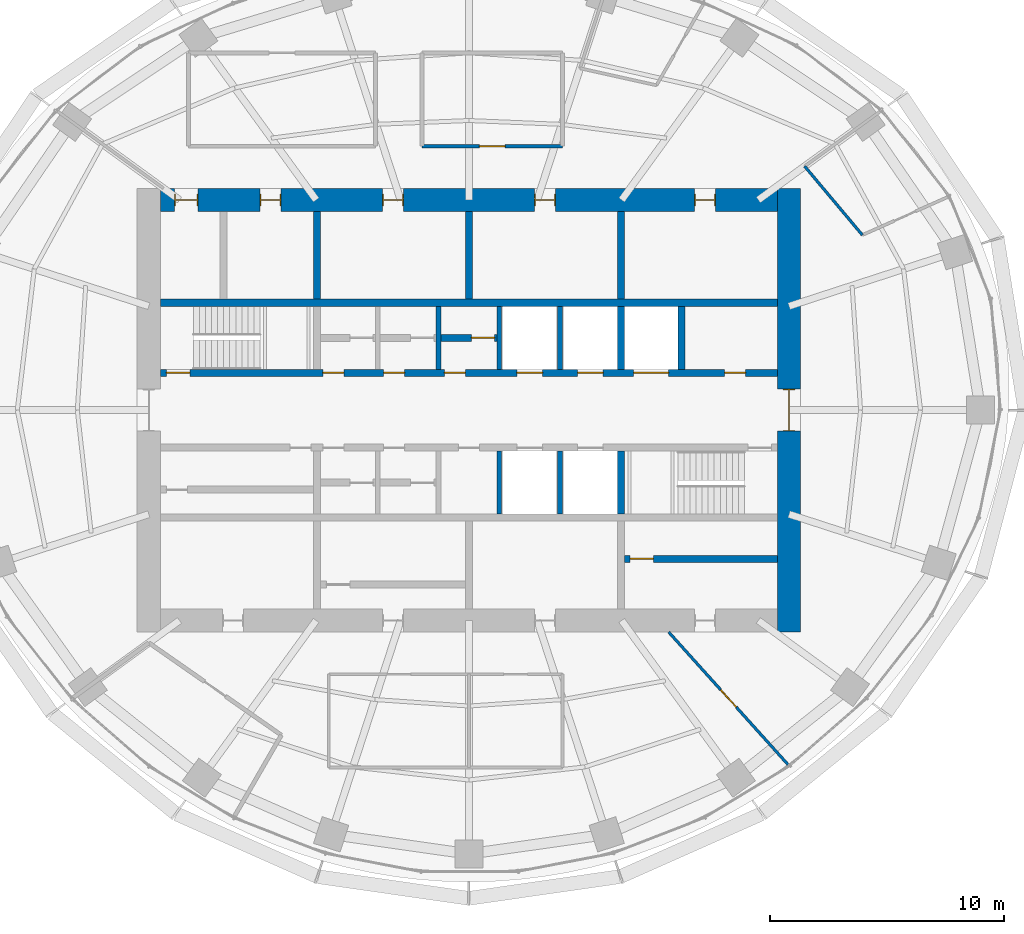
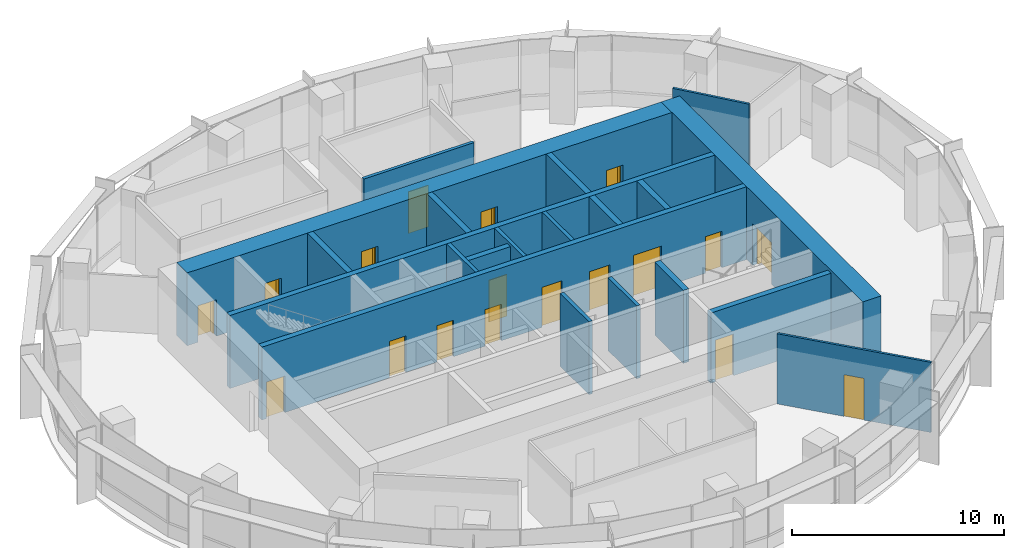
# One storey, part 10 of 13: 20 walls, 18 doors, 18 openings.
"""IFC4 building model written with IfcOpenShell, lengths in metres."""

from ifc_helpers import new_model, si_unit, direction, frame, frame_2d, origin, place, context, subcontext, project, spatial, rectangle, extrude, material, layer, layer_set, type_object, element, fill, save


model = new_model("IFC4")

# Units and contexts
model_context = context("Model", 3, precision=1e-05, world=origin(), true_north=direction((0.0, 1.0)))
body_context = subcontext(model_context, "Body", "Model", "MODEL_VIEW")
ifc_project = project(units=[si_unit("LENGTHUNIT", "METRE"), si_unit("AREAUNIT", "SQUARE_METRE"), si_unit("VOLUMEUNIT", "CUBIC_METRE"), si_unit("PLANEANGLEUNIT", "RADIAN"), si_unit("MASSUNIT", "GRAM", prefix="KILO")], contexts=[model_context])

# Site, building, storey
site_placement = place(None, origin())
site = spatial("IfcSite", under=ifc_project, at=site_placement, CompositionType="ELEMENT")
building_placement = place(site_placement, origin())
building = spatial("IfcBuilding", under=site, at=building_placement, Name="Marramba Exchange Tower", CompositionType="ELEMENT")
storey_placement = place(building_placement, frame((0.0, 0.0, 268.60009765625)))
storey = spatial("IfcBuildingStorey", under=building, at=storey_placement, Name="L65", CompositionType="ELEMENT", Elevation=268.60009765625)

# Wall, opening, door
ifc_material_1 = material(Name="Plasterboard on staggered double steel studs, acoustic insulation", Category="steel")
ifc_layer_1 = layer(ifc_material_1, 0.169921875)
ifc_layer_set_1 = layer_set([ifc_layer_1], Name="Acoustic partition 170")
wall_type_1 = type_object("IfcWallType", Name="Acoustic partition 170", PredefinedType="PARTITIONING", material=ifc_layer_set_1)
wall_1_placement = place(storey_placement, frame((4.0, 11.300048828125, 0.0), z_axis=(0.0, 0.0, 1.0), x_axis=(-1.0, 0.0, 0.0)))
wall_1 = element("IfcWall", 1, at=wall_1_placement, inside=storey, type_object=wall_type_1, Name="Acoustic partition L65 17", PredefinedType="PARTITIONING", context=body_context, shape_type="SweptSolid", body=[
    extrude(rectangle(XDim=6.0, YDim=0.169921875, at=frame_2d((3.0, 0.0))), origin(), (0.0, 0.0, 1.0), 4.039794921875),
])
opening_1_placement = place(wall_1_placement, frame((2.449951171875, 0.0, 0.0)))
opening_1 = element("IfcOpeningElement", 2, at=opening_1_placement, cuts=wall_1, Name="Opening D15", PredefinedType="OPENING", context=body_context, shape_type="SweptSolid", body=[
    extrude(rectangle(XDim=1.10009765625, YDim=2.39990234375, at=frame_2d((0.550048828125, 1.199951171875))), frame((0.0, 0.094970703125, 0.0), z_axis=(0.0, -1.0, 0.0), x_axis=(1.0, 0.0, 0.0)), (0.0, 0.0, 1.0), 0.18994140625),
])
ifc_material_2 = material(Name="Timber door", Category="wood")
door_type_1 = type_object("IfcDoorType", Name="Glazed meeting room door 1100x2400", OperationType="SINGLE_SWING_LEFT", PredefinedType="DOOR", material=ifc_material_2)
door_1_placement = place(opening_1_placement, frame((1.10009765625, 0.0, 0.0), z_axis=(0.0, 0.0, 1.0), x_axis=(-1.0, 0.0, 0.0)))
door_1 = element("IfcDoor", 3, at=door_1_placement, inside=storey, type_object=door_type_1, Name="D15 Meeting Room 2 L65", OperationType="SINGLE_SWING_RIGHT", OverallHeight=2.39990234375, OverallWidth=1.10009765625, PredefinedType="DOOR", context=body_context, shape_type="SweptSolid", body=[
    extrude(rectangle(XDim=1.10009765625, YDim=2.39990234375, at=frame_2d((0.550048828125, 1.199951171875))), frame((0.0, 0.025146484375, 0.0), z_axis=(0.0, -1.0, 0.0), x_axis=(1.0, 0.0, 0.0)), (0.0, 0.0, 1.0), 0.050048828125),
])
fill(opening_1, door_1)

# Walls
ifc_material_3 = material(Name="Concrete N50", Category="concrete")
ifc_layer_2 = layer(ifc_material_3, 0.199951171875)
ifc_layer_set_2 = layer_set([ifc_layer_2], Name="Core shaft wall 200")
wall_type_2 = type_object("IfcWallType", Name="Core shaft wall 200", PredefinedType="SHEAR", material=ifc_layer_set_2)
for number, where, z_axis, x_axis, name in (
    (4, (-1.300048828125, 1.75, 0.0), (0.0, 0.0, 1.0), (0.0, 1.0, 0.0), "Core wall SHN2 L65"),
    (5, (1.300048828125, 1.75, 0.0), (0.0, 0.0, 1.0), (0.0, 1.0, 0.0), "Core wall SHN3 L65"),
    (6, (3.89990234375, 1.75, 0.0), (0.0, 0.0, 1.0), (0.0, 1.0, 0.0), "Core wall SHN4 L65"),
    (7, (1.300048828125, -1.75, 0.0), (0.0, 0.0, 1.0), (0.0, -1.0, 0.0), "Core wall SHS3 L65"),
    (8, (3.89990234375, -1.75, 0.0), (0.0, 0.0, 1.0), (0.0, -1.0, 0.0), "Core wall SHS4 L65"),
):
    element("IfcWall", number, at=place(storey_placement, frame(where, z_axis=z_axis, x_axis=x_axis)), inside=storey, type_object=wall_type_2, Name=name, PredefinedType="SHEAR", context=body_context, shape_type="SweptSolid", body=[
        extrude(rectangle(XDim=2.699951171875, YDim=0.199951171875, at=frame_2d((1.35009765625, 0.0))), origin(), (0.0, 0.0, 1.0), 4.199951171875),
    ])

# Wall, openings, doors
ifc_layer_3 = layer(ifc_material_3, 1.0)
ifc_layer_set_3 = layer_set([ifc_layer_3], Name="Core wall 1000")
wall_type_3 = type_object("IfcWallType", Name="Core wall 1000", PredefinedType="SHEAR", material=ifc_layer_set_3)
wall_2_placement = place(storey_placement, frame((13.199951171875, 9.0, 0.0), z_axis=(0.0, 0.0, 1.0), x_axis=(-1.0, 0.0, 0.0)))
wall_2 = element("IfcWall", 9, at=wall_2_placement, inside=storey, type_object=wall_type_3, Name="Core wall N L65", PredefinedType="SHEAR", context=body_context, shape_type="SweptSolid", body=[
    extrude(rectangle(XDim=26.39990234375, YDim=1.0, at=frame_2d((13.199951171875, 0.0))), origin(), (0.0, 0.0, 1.0), 4.199951171875),
])
opening_2_placement = place(wall_2_placement, frame((2.64990234375, 0.0, 0.0)))
opening_2 = element("IfcOpeningElement", 10, at=opening_2_placement, cuts=wall_2, Name="Opening D5", PredefinedType="OPENING", context=body_context, shape_type="SweptSolid", body=[
    extrude(rectangle(XDim=0.89990234375, YDim=2.10009765625, at=frame_2d((0.449951171875, 1.050048828125))), frame((0.0, 0.510009765625, 0.0), z_axis=(0.0, -1.0, 0.0), x_axis=(1.0, 0.0, 0.0)), (0.0, 0.0, 1.0), 1.02001953125),
])
opening_3_placement = place(wall_2_placement, frame((9.5, 0.0, 0.0)))
opening_3 = element("IfcOpeningElement", 11, at=opening_3_placement, cuts=wall_2, Name="Opening D3", PredefinedType="OPENING", context=body_context, shape_type="SweptSolid", body=[
    extrude(rectangle(XDim=0.89990234375, YDim=2.10009765625, at=frame_2d((0.449951171875, 1.050048828125))), frame((0.0, 0.510009765625, 0.0), z_axis=(0.0, -1.0, 0.0), x_axis=(1.0, 0.0, 0.0)), (0.0, 0.0, 1.0), 1.02001953125),
])
opening_4_placement = place(wall_2_placement, frame((16.0, 0.0, 0.0)))
opening_4 = element("IfcOpeningElement", 12, at=opening_4_placement, cuts=wall_2, Name="Opening D3", PredefinedType="OPENING", context=body_context, shape_type="SweptSolid", body=[
    extrude(rectangle(XDim=0.89990234375, YDim=2.10009765625, at=frame_2d((0.449951171875, 1.050048828125))), frame((0.0, 0.510009765625, 0.0), z_axis=(0.0, -1.0, 0.0), x_axis=(1.0, 0.0, 0.0)), (0.0, 0.0, 1.0), 1.02001953125),
])
opening_5_placement = place(wall_2_placement, frame((21.25, 0.0, 0.0)))
opening_5 = element("IfcOpeningElement", 13, at=opening_5_placement, cuts=wall_2, Name="Opening D5", PredefinedType="OPENING", context=body_context, shape_type="SweptSolid", body=[
    extrude(rectangle(XDim=0.89990234375, YDim=2.10009765625, at=frame_2d((0.449951171875, 1.050048828125))), frame((0.0, 0.510009765625, 0.0), z_axis=(0.0, -1.0, 0.0), x_axis=(1.0, 0.0, 0.0)), (0.0, 0.0, 1.0), 1.02001953125),
])
opening_6_placement = place(wall_2_placement, frame((24.800048828125, 0.0, 0.0)))
opening_6 = element("IfcOpeningElement", 14, at=opening_6_placement, cuts=wall_2, Name="Opening D4", PredefinedType="OPENING", context=body_context, shape_type="SweptSolid", body=[
    extrude(rectangle(XDim=1.0, YDim=2.10009765625, at=frame_2d((0.5, 1.050048828125))), frame((0.0, 0.510009765625, 0.0), z_axis=(0.0, -1.0, 0.0), x_axis=(1.0, 0.0, 0.0)), (0.0, 0.0, 1.0), 1.02001953125),
])
ifc_material_4 = material(Name="Steel-framed door", Category="steel")
door_type_2 = type_object("IfcDoorType", Name="Accessible toilet door 1000x2100", OperationType="SINGLE_SWING_LEFT", PredefinedType="DOOR", material=ifc_material_4)
door_2_placement = place(opening_6_placement, origin())
door_2 = element("IfcDoor", 15, at=door_2_placement, inside=storey, type_object=door_type_2, Name="D4 awc L65", OperationType="SINGLE_SWING_RIGHT", OverallHeight=2.10009765625, OverallWidth=1.0, PredefinedType="DOOR", context=body_context, shape_type="SweptSolid", body=[
    extrude(rectangle(XDim=0.919921875, YDim=2.06005859375, at=frame_2d((0.5, 1.030029296875))), frame((0.0, 0.02490234375, 0.0), z_axis=(0.0, -1.0, 0.0), x_axis=(1.0, 0.0, 0.0)), (0.0, 0.0, 1.0), 0.050048828125),
    extrude(rectangle(XDim=0.04, YDim=2.10009765625, at=frame_2d((0.02001953125, 1.050048828125))), frame((0.0, 0.25, 0.0), z_axis=(0.0, -1.0, 0.0), x_axis=(1.0, 0.0, 0.0)), (0.0, 0.0, 1.0), 0.5),
    extrude(rectangle(XDim=0.04, YDim=2.10009765625, at=frame_2d((0.97998046875, 1.050048828125))), frame((0.0, 0.25, 0.0), z_axis=(0.0, -1.0, 0.0), x_axis=(1.0, 0.0, 0.0)), (0.0, 0.0, 1.0), 0.5),
    extrude(rectangle(XDim=0.919921875, YDim=0.04, at=frame_2d((0.5, 2.080078125))), frame((0.0, 0.25, 0.0), z_axis=(0.0, -1.0, 0.0), x_axis=(1.0, 0.0, 0.0)), (0.0, 0.0, 1.0), 0.5),
])
fill(opening_6, door_2)
door_type_3 = type_object("IfcDoorType", Name="Service door 900x2100", OperationType="SINGLE_SWING_LEFT", PredefinedType="DOOR", material=ifc_material_4)
door_3_placement = place(opening_2_placement, origin())
door_3 = element("IfcDoor", 16, at=door_3_placement, inside=storey, type_object=door_type_3, Name="D5 comms L65", OperationType="SINGLE_SWING_LEFT", OverallHeight=2.10009765625, OverallWidth=0.89990234375, PredefinedType="DOOR", context=body_context, shape_type="SweptSolid", body=[
    extrude(rectangle(XDim=0.81982421875, YDim=2.06005859375, at=frame_2d((0.449951171875, 1.030029296875))), frame((0.0, 0.02490234375, 0.0), z_axis=(0.0, -1.0, 0.0), x_axis=(1.0, 0.0, 0.0)), (0.0, 0.0, 1.0), 0.050048828125),
    extrude(rectangle(XDim=0.04, YDim=2.10009765625, at=frame_2d((0.02001953125, 1.050048828125))), frame((0.0, 0.25, 0.0), z_axis=(0.0, -1.0, 0.0), x_axis=(1.0, 0.0, 0.0)), (0.0, 0.0, 1.0), 0.5),
    extrude(rectangle(XDim=0.04, YDim=2.10009765625, at=frame_2d((0.8798828125, 1.050048828125))), frame((0.0, 0.25, 0.0), z_axis=(0.0, -1.0, 0.0), x_axis=(1.0, 0.0, 0.0)), (0.0, 0.0, 1.0), 0.5),
    extrude(rectangle(XDim=0.81982421875, YDim=0.04, at=frame_2d((0.449951171875, 2.080078125))), frame((0.0, 0.25, 0.0), z_axis=(0.0, -1.0, 0.0), x_axis=(1.0, 0.0, 0.0)), (0.0, 0.0, 1.0), 0.5),
])
fill(opening_2, door_3)
door_4_placement = place(opening_5_placement, origin())
door_4 = element("IfcDoor", 17, at=door_4_placement, inside=storey, type_object=door_type_3, Name="D5 cleaner L65", OperationType="SINGLE_SWING_RIGHT", OverallHeight=2.10009765625, OverallWidth=0.89990234375, PredefinedType="DOOR", context=body_context, shape_type="SweptSolid", body=[
    extrude(rectangle(XDim=0.81982421875, YDim=2.06005859375, at=frame_2d((0.449951171875, 1.030029296875))), frame((0.0, 0.02490234375, 0.0), z_axis=(0.0, -1.0, 0.0), x_axis=(1.0, 0.0, 0.0)), (0.0, 0.0, 1.0), 0.050048828125),
    extrude(rectangle(XDim=0.04, YDim=2.10009765625, at=frame_2d((0.02001953125, 1.050048828125))), frame((0.0, 0.25, 0.0), z_axis=(0.0, -1.0, 0.0), x_axis=(1.0, 0.0, 0.0)), (0.0, 0.0, 1.0), 0.5),
    extrude(rectangle(XDim=0.04, YDim=2.10009765625, at=frame_2d((0.8798828125, 1.050048828125))), frame((0.0, 0.25, 0.0), z_axis=(0.0, -1.0, 0.0), x_axis=(1.0, 0.0, 0.0)), (0.0, 0.0, 1.0), 0.5),
    extrude(rectangle(XDim=0.81982421875, YDim=0.04, at=frame_2d((0.449951171875, 2.080078125))), frame((0.0, 0.25, 0.0), z_axis=(0.0, -1.0, 0.0), x_axis=(1.0, 0.0, 0.0)), (0.0, 0.0, 1.0), 0.5),
])
fill(opening_5, door_4)
door_type_4 = type_object("IfcDoorType", Name="Toilet door 900x2100", OperationType="SINGLE_SWING_LEFT", PredefinedType="DOOR", material=ifc_material_4)
door_5_placement = place(opening_3_placement, origin())
door_5 = element("IfcDoor", 18, at=door_5_placement, inside=storey, type_object=door_type_4, Name="D3 wc-f L65", OperationType="SINGLE_SWING_RIGHT", OverallHeight=2.10009765625, OverallWidth=0.89990234375, PredefinedType="DOOR", context=body_context, shape_type="SweptSolid", body=[
    extrude(rectangle(XDim=0.81982421875, YDim=2.06005859375, at=frame_2d((0.449951171875, 1.030029296875))), frame((0.0, 0.02490234375, 0.0), z_axis=(0.0, -1.0, 0.0), x_axis=(1.0, 0.0, 0.0)), (0.0, 0.0, 1.0), 0.050048828125),
    extrude(rectangle(XDim=0.04, YDim=2.10009765625, at=frame_2d((0.02001953125, 1.050048828125))), frame((0.0, 0.25, 0.0), z_axis=(0.0, -1.0, 0.0), x_axis=(1.0, 0.0, 0.0)), (0.0, 0.0, 1.0), 0.5),
    extrude(rectangle(XDim=0.04, YDim=2.10009765625, at=frame_2d((0.8798828125, 1.050048828125))), frame((0.0, 0.25, 0.0), z_axis=(0.0, -1.0, 0.0), x_axis=(1.0, 0.0, 0.0)), (0.0, 0.0, 1.0), 0.5),
    extrude(rectangle(XDim=0.81982421875, YDim=0.04, at=frame_2d((0.449951171875, 2.080078125))), frame((0.0, 0.25, 0.0), z_axis=(0.0, -1.0, 0.0), x_axis=(1.0, 0.0, 0.0)), (0.0, 0.0, 1.0), 0.5),
])
fill(opening_3, door_5)
door_6_placement = place(opening_4_placement, origin())
door_6 = element("IfcDoor", 19, at=door_6_placement, inside=storey, type_object=door_type_4, Name="D3 wc-m L65", OperationType="SINGLE_SWING_RIGHT", OverallHeight=2.10009765625, OverallWidth=0.89990234375, PredefinedType="DOOR", context=body_context, shape_type="SweptSolid", body=[
    extrude(rectangle(XDim=0.81982421875, YDim=2.06005859375, at=frame_2d((0.449951171875, 1.030029296875))), frame((0.0, 0.02490234375, 0.0), z_axis=(0.0, -1.0, 0.0), x_axis=(1.0, 0.0, 0.0)), (0.0, 0.0, 1.0), 0.050048828125),
    extrude(rectangle(XDim=0.04, YDim=2.10009765625, at=frame_2d((0.02001953125, 1.050048828125))), frame((0.0, 0.25, 0.0), z_axis=(0.0, -1.0, 0.0), x_axis=(1.0, 0.0, 0.0)), (0.0, 0.0, 1.0), 0.5),
    extrude(rectangle(XDim=0.04, YDim=2.10009765625, at=frame_2d((0.8798828125, 1.050048828125))), frame((0.0, 0.25, 0.0), z_axis=(0.0, -1.0, 0.0), x_axis=(1.0, 0.0, 0.0)), (0.0, 0.0, 1.0), 0.5),
    extrude(rectangle(XDim=0.81982421875, YDim=0.04, at=frame_2d((0.449951171875, 2.080078125))), frame((0.0, 0.25, 0.0), z_axis=(0.0, -1.0, 0.0), x_axis=(1.0, 0.0, 0.0)), (0.0, 0.0, 1.0), 0.5),
])
fill(opening_4, door_6)

# Wall, opening, door
wall_3_placement = place(storey_placement, frame((13.699951171875, -9.5, 0.0), z_axis=(0.0, 0.0, 1.0), x_axis=(0.0, 1.0, 0.0)))
wall_3 = element("IfcWall", 20, at=wall_3_placement, inside=storey, type_object=wall_type_3, Name="Core wall E L65", PredefinedType="SHEAR", context=body_context, shape_type="SweptSolid", body=[
    extrude(rectangle(XDim=19.0, YDim=1.0, at=frame_2d((9.5, 0.0))), origin(), (0.0, 0.0, 1.0), 4.199951171875),
])
opening_7_placement = place(wall_3_placement, frame((8.60009765625, 0.0, 0.0)))
opening_7 = element("IfcOpeningElement", 21, at=opening_7_placement, cuts=wall_3, Name="Opening D1", PredefinedType="OPENING", context=body_context, shape_type="SweptSolid", body=[
    extrude(rectangle(XDim=1.800048828125, YDim=2.39990234375, at=frame_2d((0.89990234375, 1.199951171875))), frame((0.0, 0.510009765625, 0.0), z_axis=(0.0, -1.0, 0.0), x_axis=(1.0, 0.0, 0.0)), (0.0, 0.0, 1.0), 1.02001953125),
])
door_type_5 = type_object("IfcDoorType", Name="Lobby exit door 1800x2400", OperationType="DOUBLE_DOOR_SINGLE_SWING", PredefinedType="DOOR", material=ifc_material_4)
door_7_placement = place(opening_7_placement, origin())
door_7 = element("IfcDoor", 22, at=door_7_placement, inside=storey, type_object=door_type_5, Name="D1 lobby exit east L65", OperationType="DOUBLE_DOOR_SINGLE_SWING", OverallHeight=2.39990234375, OverallWidth=1.800048828125, PredefinedType="DOOR", context=body_context, shape_type="SweptSolid", body=[
    extrude(rectangle(XDim=1.719970703125, YDim=2.35986328125, at=frame_2d((0.89990234375, 1.179931640625))), frame((0.0, 0.02490234375, 0.0), z_axis=(0.0, -1.0, 0.0), x_axis=(1.0, 0.0, 0.0)), (0.0, 0.0, 1.0), 0.050048828125),
    extrude(rectangle(XDim=0.04, YDim=2.39990234375, at=frame_2d((0.02001953125, 1.199951171875))), frame((0.0, 0.25, 0.0), z_axis=(0.0, -1.0, 0.0), x_axis=(1.0, 0.0, 0.0)), (0.0, 0.0, 1.0), 0.5),
    extrude(rectangle(XDim=0.04, YDim=2.39990234375, at=frame_2d((1.780029296875, 1.199951171875))), frame((0.0, 0.25, 0.0), z_axis=(0.0, -1.0, 0.0), x_axis=(1.0, 0.0, 0.0)), (0.0, 0.0, 1.0), 0.5),
    extrude(rectangle(XDim=1.719970703125, YDim=0.04, at=frame_2d((0.89990234375, 2.3798828125))), frame((0.0, 0.25, 0.0), z_axis=(0.0, -1.0, 0.0), x_axis=(1.0, 0.0, 0.0)), (0.0, 0.0, 1.0), 0.5),
])
fill(opening_7, door_7)

# Wall, openings, doors
ifc_layer_4 = layer(ifc_material_3, 0.300048828125)
ifc_layer_set_4 = layer_set([ifc_layer_4], Name="Core wall 300")
wall_type_4 = type_object("IfcWallType", Name="Core wall 300", PredefinedType="SHEAR", material=ifc_layer_set_4)
wall_4_placement = place(storey_placement, frame((-13.199951171875, 1.60009765625, 0.0), z_axis=(0.0, 0.0, 1.0), x_axis=(1.0, 0.0, 0.0)))
wall_4 = element("IfcWall", 23, at=wall_4_placement, inside=storey, type_object=wall_type_4, Name="Core wall LN L65", PredefinedType="SHEAR", context=body_context, shape_type="SweptSolid", body=[
    extrude(rectangle(XDim=26.39990234375, YDim=0.300048828125, at=frame_2d((13.199951171875, 0.0))), origin(), (0.0, 0.0, 1.0), 4.199951171875),
])
opening_8_placement = place(wall_4_placement, frame((0.25, 0.0, 0.0)))
opening_8 = element("IfcOpeningElement", 24, at=opening_8_placement, cuts=wall_4, Name="Opening D2", PredefinedType="OPENING", context=body_context, shape_type="SweptSolid", body=[
    extrude(rectangle(XDim=1.0, YDim=2.10009765625, at=frame_2d((0.5, 1.050048828125))), frame((0.0, 0.159912109375, 0.0), z_axis=(0.0, -1.0, 0.0), x_axis=(1.0, 0.0, 0.0)), (0.0, 0.0, 1.0), 0.320068359375),
])
opening_9_placement = place(wall_4_placement, frame((20.25, 0.0, 0.0)))
opening_9 = element("IfcOpeningElement", 25, at=opening_9_placement, cuts=wall_4, Name="Opening LD3", PredefinedType="OPENING", context=body_context, shape_type="SweptSolid", body=[
    extrude(rectangle(XDim=1.5, YDim=2.39990234375, at=frame_2d((0.75, 1.199951171875))), frame((0.0, 0.159912109375, 0.0), z_axis=(0.0, -1.0, 0.0), x_axis=(1.0, 0.0, 0.0)), (0.0, 0.0, 1.0), 0.320068359375),
])
opening_10_placement = place(wall_4_placement, frame((6.949951171875, 0.0, 0.0)))
opening_10 = element("IfcOpeningElement", 26, at=opening_10_placement, cuts=wall_4, Name="Opening D5", PredefinedType="OPENING", context=body_context, shape_type="SweptSolid", body=[
    extrude(rectangle(XDim=0.89990234375, YDim=2.10009765625, at=frame_2d((0.449951171875, 1.050048828125))), frame((0.0, 0.159912109375, 0.0), z_axis=(0.0, -1.0, 0.0), x_axis=(1.0, 0.0, 0.0)), (0.0, 0.0, 1.0), 0.320068359375),
])
opening_11_placement = place(wall_4_placement, frame((9.550048828125, 0.0, 0.0)))
opening_11 = element("IfcOpeningElement", 27, at=opening_11_placement, cuts=wall_4, Name="Opening D5", PredefinedType="OPENING", context=body_context, shape_type="SweptSolid", body=[
    extrude(rectangle(XDim=0.89990234375, YDim=2.10009765625, at=frame_2d((0.449951171875, 1.050048828125))), frame((0.0, 0.159912109375, 0.0), z_axis=(0.0, -1.0, 0.0), x_axis=(1.0, 0.0, 0.0)), (0.0, 0.0, 1.0), 0.320068359375),
])
opening_12_placement = place(wall_4_placement, frame((12.14990234375, 0.0, 0.0)))
opening_12 = element("IfcOpeningElement", 28, at=opening_12_placement, cuts=wall_4, Name="Opening D5", PredefinedType="OPENING", context=body_context, shape_type="SweptSolid", body=[
    extrude(rectangle(XDim=0.89990234375, YDim=2.10009765625, at=frame_2d((0.449951171875, 1.050048828125))), frame((0.0, 0.159912109375, 0.0), z_axis=(0.0, -1.0, 0.0), x_axis=(1.0, 0.0, 0.0)), (0.0, 0.0, 1.0), 0.320068359375),
])
opening_13_placement = place(wall_4_placement, frame((15.25, 0.0, 0.0)))
opening_13 = element("IfcOpeningElement", 29, at=opening_13_placement, cuts=wall_4, Name="Opening LD1", PredefinedType="OPENING", context=body_context, shape_type="SweptSolid", body=[
    extrude(rectangle(XDim=1.10009765625, YDim=2.300048828125, at=frame_2d((0.550048828125, 1.14990234375))), frame((0.0, 0.159912109375, 0.0), z_axis=(0.0, -1.0, 0.0), x_axis=(1.0, 0.0, 0.0)), (0.0, 0.0, 1.0), 0.320068359375),
])
opening_14_placement = place(wall_4_placement, frame((17.85009765625, 0.0, 0.0)))
opening_14 = element("IfcOpeningElement", 30, at=opening_14_placement, cuts=wall_4, Name="Opening LD1", PredefinedType="OPENING", context=body_context, shape_type="SweptSolid", body=[
    extrude(rectangle(XDim=1.10009765625, YDim=2.300048828125, at=frame_2d((0.550048828125, 1.14990234375))), frame((0.0, 0.159912109375, 0.0), z_axis=(0.0, -1.0, 0.0), x_axis=(1.0, 0.0, 0.0)), (0.0, 0.0, 1.0), 0.320068359375),
])
opening_15_placement = place(wall_4_placement, frame((24.14990234375, 0.0, 0.0)))
opening_15 = element("IfcOpeningElement", 31, at=opening_15_placement, cuts=wall_4, Name="Opening D5", PredefinedType="OPENING", context=body_context, shape_type="SweptSolid", body=[
    extrude(rectangle(XDim=0.89990234375, YDim=2.10009765625, at=frame_2d((0.449951171875, 1.050048828125))), frame((0.0, 0.159912109375, 0.0), z_axis=(0.0, -1.0, 0.0), x_axis=(1.0, 0.0, 0.0)), (0.0, 0.0, 1.0), 0.320068359375),
])
door_type_6 = type_object("IfcDoorType", Name="Goods lift landing door 1500x2400", OperationType="SLIDING_TO_LEFT", PredefinedType="DOOR", material=ifc_material_4)
door_8_placement = place(opening_9_placement, origin())
door_8 = element("IfcDoor", 32, at=door_8_placement, inside=storey, type_object=door_type_6, Name="GL1 landing door L65", OperationType="SLIDING_TO_RIGHT", OverallHeight=2.39990234375, OverallWidth=1.5, PredefinedType="DOOR", context=body_context, shape_type="SweptSolid", body=[
    extrude(rectangle(XDim=1.5, YDim=2.39990234375, at=frame_2d((0.75, 1.199951171875))), frame((0.0, 0.02490234375, 0.0), z_axis=(0.0, -1.0, 0.0), x_axis=(1.0, 0.0, 0.0)), (0.0, 0.0, 1.0), 0.050048828125),
])
fill(opening_9, door_8)
door_type_7 = type_object("IfcDoorType", Name="Lift landing door 1100x2300", OperationType="SLIDING_TO_LEFT", PredefinedType="DOOR", material=ifc_material_4)
door_9_placement = place(opening_13_placement, origin())
door_9 = element("IfcDoor", 33, at=door_9_placement, inside=storey, type_object=door_type_7, Name="LD1 landing door L65", OperationType="SLIDING_TO_LEFT", OverallHeight=2.300048828125, OverallWidth=1.10009765625, PredefinedType="DOOR", context=body_context, shape_type="SweptSolid", body=[
    extrude(rectangle(XDim=1.10009765625, YDim=2.300048828125, at=frame_2d((0.550048828125, 1.14990234375))), frame((0.0, 0.02490234375, 0.0), z_axis=(0.0, -1.0, 0.0), x_axis=(1.0, 0.0, 0.0)), (0.0, 0.0, 1.0), 0.050048828125),
])
fill(opening_13, door_9)
door_10_placement = place(opening_14_placement, origin())
door_10 = element("IfcDoor", 34, at=door_10_placement, inside=storey, type_object=door_type_7, Name="LD2 landing door L65", OperationType="SLIDING_TO_LEFT", OverallHeight=2.300048828125, OverallWidth=1.10009765625, PredefinedType="DOOR", context=body_context, shape_type="SweptSolid", body=[
    extrude(rectangle(XDim=1.10009765625, YDim=2.300048828125, at=frame_2d((0.550048828125, 1.14990234375))), frame((0.0, 0.02490234375, 0.0), z_axis=(0.0, -1.0, 0.0), x_axis=(1.0, 0.0, 0.0)), (0.0, 0.0, 1.0), 0.050048828125),
])
fill(opening_14, door_10)
door_11_placement = place(opening_10_placement, origin())
door_11 = element("IfcDoor", 35, at=door_11_placement, inside=storey, type_object=door_type_3, Name="D5 switch room L65", OperationType="SINGLE_SWING_LEFT", OverallHeight=2.10009765625, OverallWidth=0.89990234375, PredefinedType="DOOR", context=body_context, shape_type="SweptSolid", body=[
    extrude(rectangle(XDim=0.89990234375, YDim=2.10009765625, at=frame_2d((0.449951171875, 1.050048828125))), frame((0.0, 0.02490234375, 0.0), z_axis=(0.0, -1.0, 0.0), x_axis=(1.0, 0.0, 0.0)), (0.0, 0.0, 1.0), 0.050048828125),
])
fill(opening_10, door_11)
door_12_placement = place(opening_11_placement, origin())
door_12 = element("IfcDoor", 36, at=door_12_placement, inside=storey, type_object=door_type_3, Name="D5 waste room L65", OperationType="SINGLE_SWING_LEFT", OverallHeight=2.10009765625, OverallWidth=0.89990234375, PredefinedType="DOOR", context=body_context, shape_type="SweptSolid", body=[
    extrude(rectangle(XDim=0.89990234375, YDim=2.10009765625, at=frame_2d((0.449951171875, 1.050048828125))), frame((0.0, 0.02490234375, 0.0), z_axis=(0.0, -1.0, 0.0), x_axis=(1.0, 0.0, 0.0)), (0.0, 0.0, 1.0), 0.050048828125),
])
fill(opening_11, door_12)
door_13_placement = place(opening_12_placement, origin())
door_13 = element("IfcDoor", 37, at=door_13_placement, inside=storey, type_object=door_type_3, Name="D5 general store L65", OperationType="SINGLE_SWING_LEFT", OverallHeight=2.10009765625, OverallWidth=0.89990234375, PredefinedType="DOOR", context=body_context, shape_type="SweptSolid", body=[
    extrude(rectangle(XDim=0.89990234375, YDim=2.10009765625, at=frame_2d((0.449951171875, 1.050048828125))), frame((0.0, 0.02490234375, 0.0), z_axis=(0.0, -1.0, 0.0), x_axis=(1.0, 0.0, 0.0)), (0.0, 0.0, 1.0), 0.050048828125),
])
fill(opening_12, door_13)
door_14_placement = place(opening_15_placement, origin())
door_14 = element("IfcDoor", 38, at=door_14_placement, inside=storey, type_object=door_type_3, Name="D5 riser L65", OperationType="SINGLE_SWING_RIGHT", OverallHeight=2.10009765625, OverallWidth=0.89990234375, PredefinedType="DOOR", context=body_context, shape_type="SweptSolid", body=[
    extrude(rectangle(XDim=0.89990234375, YDim=2.10009765625, at=frame_2d((0.449951171875, 1.050048828125))), frame((0.0, 0.02490234375, 0.0), z_axis=(0.0, -1.0, 0.0), x_axis=(1.0, 0.0, 0.0)), (0.0, 0.0, 1.0), 0.050048828125),
])
fill(opening_15, door_14)
door_type_8 = type_object("IfcDoorType", Name="Stair door 1000x2100", OperationType="SINGLE_SWING_LEFT", PredefinedType="DOOR", material=ifc_material_4)
door_15_placement = place(opening_8_placement, origin())
door_15 = element("IfcDoor", 39, at=door_15_placement, inside=storey, type_object=door_type_8, Name="D2 stair ST1 L65", OperationType="SINGLE_SWING_LEFT", OverallHeight=2.10009765625, OverallWidth=1.0, PredefinedType="DOOR", context=body_context, shape_type="SweptSolid", body=[
    extrude(rectangle(XDim=1.0, YDim=2.10009765625, at=frame_2d((0.5, 1.050048828125))), frame((0.0, 0.02490234375, 0.0), z_axis=(0.0, -1.0, 0.0), x_axis=(1.0, 0.0, 0.0)), (0.0, 0.0, 1.0), 0.050048828125),
])
fill(opening_8, door_15)

# Walls
wall_5_placement = place(storey_placement, frame((-13.199951171875, 4.60009765625, 0.0), z_axis=(0.0, 0.0, 1.0), x_axis=(1.0, 0.0, 0.0)))
element("IfcWall", 40, at=wall_5_placement, inside=storey, type_object=wall_type_4, Name="Core wall BN L65", PredefinedType="SHEAR", context=body_context, shape_type="SweptSolid", body=[
    extrude(rectangle(XDim=26.39990234375, YDim=0.300048828125, at=frame_2d((13.199951171875, 0.0))), origin(), (0.0, 0.0, 1.0), 4.199951171875),
])
wall_6_placement = place(storey_placement, frame((-6.5, 4.75, 0.0), z_axis=(0.0, 0.0, 1.0), x_axis=(0.0, 1.0, 0.0)))
element("IfcWall", 41, at=wall_6_placement, inside=storey, type_object=wall_type_4, Name="Core wall X0Nb L65", PredefinedType="SHEAR", context=body_context, shape_type="SweptSolid", body=[
    extrude(rectangle(XDim=3.75, YDim=0.300048828125, at=frame_2d((1.875, 0.0))), origin(), (0.0, 0.0, 1.0), 4.199951171875),
])
wall_7_placement = place(storey_placement, frame((6.5, 1.75, 0.0), z_axis=(0.0, 0.0, 1.0), x_axis=(0.0, 1.0, 0.0)))
element("IfcWall", 42, at=wall_7_placement, inside=storey, type_object=wall_type_4, Name="Core wall X1Na L65", PredefinedType="SHEAR", context=body_context, shape_type="SweptSolid", body=[
    extrude(rectangle(XDim=2.699951171875, YDim=0.300048828125, at=frame_2d((1.35009765625, 0.0))), origin(), (0.0, 0.0, 1.0), 4.199951171875),
])
for number, where, z_axis, x_axis, name in (
    (43, (6.5, 4.75, 0.0), (0.0, 0.0, 1.0), (0.0, 1.0, 0.0), "Core wall X1Nb L65"),
    (44, (0.0, 4.75, 0.0), (0.0, 0.0, 1.0), (0.0, 1.0, 0.0), "Core wall MN L65"),
):
    element("IfcWall", number, at=place(storey_placement, frame(where, z_axis=z_axis, x_axis=x_axis)), inside=storey, type_object=wall_type_4, Name=name, PredefinedType="SHEAR", context=body_context, shape_type="SweptSolid", body=[
        extrude(rectangle(XDim=3.75, YDim=0.300048828125, at=frame_2d((1.875, 0.0))), origin(), (0.0, 0.0, 1.0), 4.199951171875),
    ])
for number, where, z_axis, x_axis, name in (
    (45, (6.5, -1.75, 0.0), (0.0, 0.0, 1.0), (0.0, -1.0, 0.0), "Core wall X1Sa L65"),
    (46, (9.10009765625, 1.75, 0.0), (0.0, 0.0, 1.0), (0.0, 1.0, 0.0), "Core wall ED L65"),
):
    element("IfcWall", number, at=place(storey_placement, frame(where, z_axis=z_axis, x_axis=x_axis)), inside=storey, type_object=wall_type_4, Name=name, PredefinedType="SHEAR", context=body_context, shape_type="SweptSolid", body=[
        extrude(rectangle(XDim=2.699951171875, YDim=0.300048828125, at=frame_2d((1.35009765625, 0.0))), origin(), (0.0, 0.0, 1.0), 4.199951171875),
    ])

# Wall, opening, door
ifc_material_5 = material(Name="Plasterboard on steel studs", Category="steel")
ifc_layer_5 = layer(ifc_material_5, 0.1201171875)
ifc_layer_set_5 = layer_set([ifc_layer_5], Name="Partition 120")
wall_type_5 = type_object("IfcWallType", Name="Partition 120", PredefinedType="PARTITIONING", material=ifc_layer_set_5)
wall_8_placement = place(storey_placement, frame((13.659912109375, -15.1708984375, 0.0), z_axis=(0.0, 0.0, 1.0), x_axis=(-0.669137936348, 0.74313822546, 0.0)))
wall_8 = element("IfcWall", 47, at=wall_8_placement, inside=storey, type_object=wall_type_5, Name="Partition L65 09", PredefinedType="PARTITIONING", context=body_context, shape_type="SweptSolid", body=[
    extrude(rectangle(XDim=7.631103515625, YDim=0.1201171875, at=frame_2d((3.8154296875, 0.0))), origin(), (0.0, 0.0, 1.0), 4.039794921875),
])
opening_16_placement = place(wall_8_placement, frame((3.31494140625, 0.0, 0.0)))
opening_16 = element("IfcOpeningElement", 48, at=opening_16_placement, cuts=wall_8, Name="Opening D9", PredefinedType="OPENING", context=body_context, shape_type="SweptSolid", body=[
    extrude(rectangle(XDim=1.0, YDim=2.39990234375, at=frame_2d((0.5, 1.199951171875))), frame((0.0, 0.070068359375, 0.0), z_axis=(0.0, -1.0, 0.0), x_axis=(1.0, 0.0, 0.0)), (0.0, 0.0, 1.0), 0.14013671875),
])
door_type_9 = type_object("IfcDoorType", Name="Room door 1000x2400", OperationType="SINGLE_SWING_LEFT", PredefinedType="DOOR", material=ifc_material_2)
door_16_placement = place(opening_16_placement, origin())
door_16 = element("IfcDoor", 49, at=door_16_placement, inside=storey, type_object=door_type_9, Name="D9 Chief Executive Support Office L65", OperationType="SINGLE_SWING_LEFT", OverallHeight=2.39990234375, OverallWidth=1.0, PredefinedType="DOOR", context=body_context, shape_type="SweptSolid", body=[
    extrude(rectangle(XDim=1.0, YDim=2.39990234375, at=frame_2d((0.5, 1.199951171875))), frame((0.0, 0.02490234375, 0.0), z_axis=(0.0, -1.0, 0.0), x_axis=(1.0, 0.0, 0.0)), (0.0, 0.0, 1.0), 0.050048828125),
])
fill(opening_16, door_16)

# Wall
wall_9_placement = place(storey_placement, frame((14.37255859375, 10.4423828125, 0.0), z_axis=(0.0, 0.0, 1.0), x_axis=(0.642749419025, -0.766076487267, 0.0)))
element("IfcWall", 50, at=wall_9_placement, inside=storey, type_object=wall_type_5, Name="Partition L65 11", PredefinedType="PARTITIONING", context=body_context, shape_type="SweptSolid", body=[
    extrude(rectangle(XDim=3.842529296875, YDim=0.1201171875, at=frame_2d((1.92138671875, 0.0))), origin(), (0.0, 0.0, 1.0), 4.039794921875),
])

# Wall, opening, door
ifc_material_6 = material(Name="Plasterboard on steel studs, insulated, unrated", Category="steel")
ifc_layer_6 = layer(ifc_material_6, 0.300048828125)
ifc_layer_set_6 = layer_set([ifc_layer_6], Name="Store partition 300")
wall_type_6 = type_object("IfcWallType", Name="Store partition 300", PredefinedType="PARTITIONING", material=ifc_layer_set_6)
wall_10_placement = place(storey_placement, frame((-1.199951171875, 3.10009765625, 0.0), z_axis=(0.0, 0.0, 1.0), x_axis=(1.0, 0.0, 0.0)))
wall_10 = element("IfcWall", 51, at=wall_10_placement, inside=storey, type_object=wall_type_6, Name="Store partition L65 N3", PredefinedType="PARTITIONING", context=body_context, shape_type="SweptSolid", body=[
    extrude(rectangle(XDim=2.39990234375, YDim=0.300048828125, at=frame_2d((1.199951171875, 0.0))), origin(), (0.0, 0.0, 1.0), 4.039794921875),
])
opening_17_placement = place(wall_10_placement, frame((1.300048828125, 0.0, 0.0)))
opening_17 = element("IfcOpeningElement", 52, at=opening_17_placement, cuts=wall_10, Name="Opening D9", PredefinedType="OPENING", context=body_context, shape_type="SweptSolid", body=[
    extrude(rectangle(XDim=1.0, YDim=2.39990234375, at=frame_2d((0.5, 1.199951171875))), frame((0.0, 0.159912109375, 0.0), z_axis=(0.0, -1.0, 0.0), x_axis=(1.0, 0.0, 0.0)), (0.0, 0.0, 1.0), 0.320068359375),
])
door_17_placement = place(opening_17_placement, origin())
door_17 = element("IfcDoor", 53, at=door_17_placement, inside=storey, type_object=door_type_9, Name="D9 store room N3 L65", OperationType="SINGLE_SWING_RIGHT", OverallHeight=2.39990234375, OverallWidth=1.0, PredefinedType="DOOR", context=body_context, shape_type="SweptSolid", body=[
    extrude(rectangle(XDim=1.0, YDim=2.39990234375, at=frame_2d((0.5, 1.199951171875))), frame((0.0, 0.02490234375, 0.0), z_axis=(0.0, -1.0, 0.0), x_axis=(1.0, 0.0, 0.0)), (0.0, 0.0, 1.0), 0.050048828125),
])
fill(opening_17, door_17)

wall_11_placement = place(storey_placement, frame((6.64990234375, -6.360107421875, 0.0), z_axis=(0.0, 0.0, 1.0), x_axis=(1.0, 0.0, 0.0)))
wall_11 = element("IfcWall", 54, at=wall_11_placement, inside=storey, type_object=wall_type_6, Name="Store partition L65 cstore", PredefinedType="PARTITIONING", context=body_context, shape_type="SweptSolid", body=[
    extrude(rectangle(XDim=6.550048828125, YDim=0.300048828125, at=frame_2d((3.27490234375, 0.0))), origin(), (0.0, 0.0, 1.0), 4.039794921875),
])
opening_18_placement = place(wall_11_placement, frame((0.25, 0.0, 0.0)))
opening_18 = element("IfcOpeningElement", 55, at=opening_18_placement, cuts=wall_11, Name="Opening D9", PredefinedType="OPENING", context=body_context, shape_type="SweptSolid", body=[
    extrude(rectangle(XDim=1.0, YDim=2.39990234375, at=frame_2d((0.5, 1.199951171875))), frame((0.0, 0.159912109375, 0.0), z_axis=(0.0, -1.0, 0.0), x_axis=(1.0, 0.0, 0.0)), (0.0, 0.0, 1.0), 0.320068359375),
])
door_18_placement = place(opening_18_placement, origin())
door_18 = element("IfcDoor", 56, at=door_18_placement, inside=storey, type_object=door_type_9, Name="D9 general store L65", OperationType="SINGLE_SWING_LEFT", OverallHeight=2.39990234375, OverallWidth=1.0, PredefinedType="DOOR", context=body_context, shape_type="SweptSolid", body=[
    extrude(rectangle(XDim=1.0, YDim=2.39990234375, at=frame_2d((0.5, 1.199951171875))), frame((0.0, 0.02490234375, 0.0), z_axis=(0.0, -1.0, 0.0), x_axis=(1.0, 0.0, 0.0)), (0.0, 0.0, 1.0), 0.050048828125),
])
fill(opening_18, door_18)

save(model, "model.ifc")
